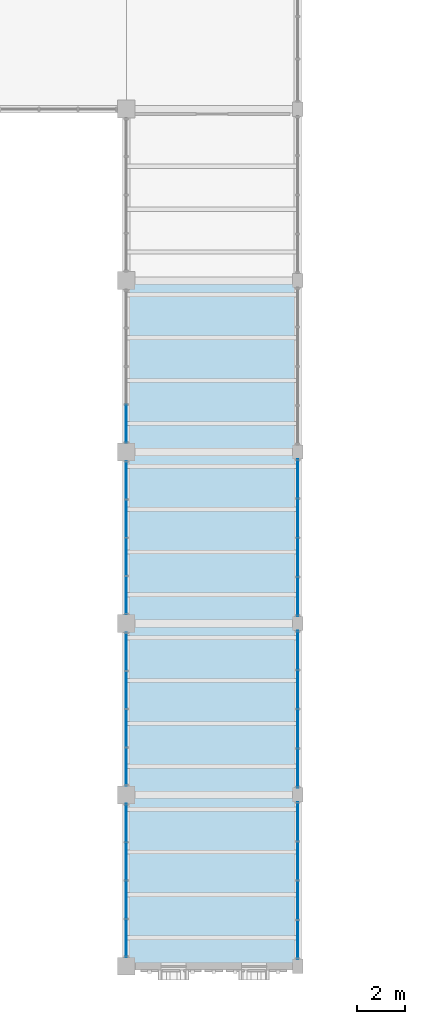
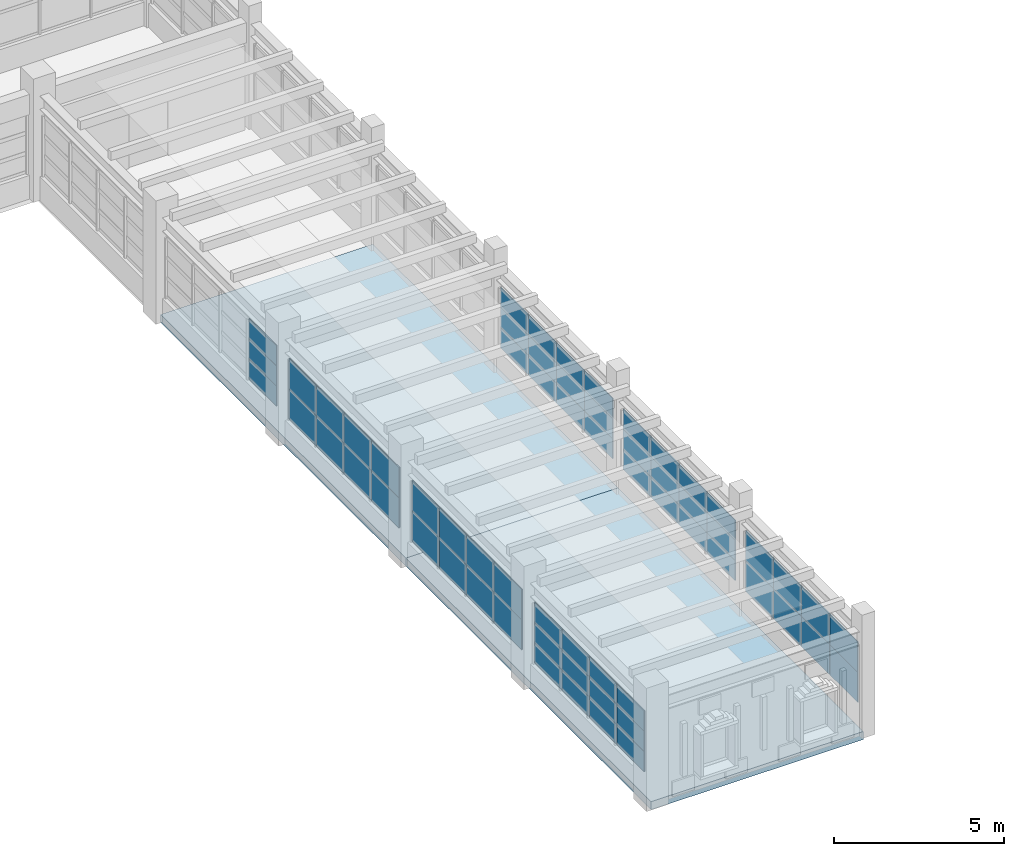
# One storey, part 32 of 69: 63 plates, 2 slabs, 7 elements without a shape of their own.
"""IFC4 building model written with IfcOpenShell, lengths in metres."""

from ifc_helpers import new_model, si_unit, direction, frame, origin, origin_2d, place, context, subcontext, project, spatial, polyline, rectangle, outline, extrude, material, layer, layer_set, type_object, element, aggregate, save


model = new_model("IFC4")

# Units and contexts
model_context = context("Model", 3, precision=1e-05, world=origin(), true_north=direction((0.0, 1.0)))
body_context = subcontext(model_context, "Body", "Model", "MODEL_VIEW")
ifc_project = project(units=[si_unit("LENGTHUNIT", "METRE"), si_unit("AREAUNIT", "SQUARE_METRE"), si_unit("VOLUMEUNIT", "CUBIC_METRE"), si_unit("PLANEANGLEUNIT", "RADIAN"), si_unit("MASSUNIT", "GRAM", prefix="KILO")], contexts=[model_context])

# Site, building, storey
site_placement = place(None, origin())
site = spatial("IfcSite", under=ifc_project, at=site_placement, CompositionType="ELEMENT")
building_placement = place(site_placement, origin())
building = spatial("IfcBuilding", under=site, at=building_placement, Name="Nzembalo Square Collegiate School", CompositionType="ELEMENT")
storey_placement = place(building_placement, frame((0.0, 0.0, 5.10009765625)))
storey = spatial("IfcBuildingStorey", under=building, at=storey_placement, Name="L01", CompositionType="ELEMENT", Elevation=5.10009765625)

# Curtain wall, plates
ifc_material_1 = material(Name="Aluminium 6060-T66", Category="aluminium")
curtain_wall_type_1 = type_object("IfcCurtainWallType", Name="CW-01", PredefinedType="USERDEFINED", material=ifc_material_1)
curtain_wall_1_placement = place(storey_placement, origin())
curtain_wall_1 = element("IfcCurtainWall", 1, at=curtain_wall_1_placement, inside=storey, type_object=curtain_wall_type_1, Name="Curtain wall CW-01 cw:L01:040", ObjectType="UNITISED", PredefinedType="USERDEFINED")
ifc_material_2 = material(Name="Laminated solar-control double glazing", Category="glass")
ifc_layer_1 = layer(ifc_material_2, 0.028076171875, Name="Laminated solar-control double glazing")
ifc_layer_set_1 = layer_set([ifc_layer_1], Name="Laminated solar-control double glazing")
plate_type_1 = type_object("IfcPlateType", Name="PN01", PredefinedType="CURTAIN_PANEL", material=ifc_layer_set_1)
plate_1_placement = place(storey_placement, frame((37.199951171875, 16.7265625, 0.85400390625), z_axis=(0.0, 0.0, 1.0), x_axis=(0.0, 1.0, 0.0)))
plate_1 = element("IfcPlate", 2, at=plate_1_placement, type_object=plate_type_1, Name="PN01 glazed panel 1-1", PredefinedType="CURTAIN_PANEL", context=body_context, shape_type="SweptSolid", body=[
    extrude(rectangle(XDim=1.64111328125, YDim=0.028076171875, at=origin_2d()), origin(), (0.0, 0.0, 1.0), 0.716552734375),
])
plate_2_placement = place(storey_placement, frame((37.199951171875, 18.37548828125, 0.85400390625), z_axis=(0.0, 0.0, 1.0), x_axis=(0.0, 1.0, 0.0)))
plate_2 = element("IfcPlate", 3, at=plate_2_placement, type_object=plate_type_1, Name="PN01 glazed panel 1-2", PredefinedType="CURTAIN_PANEL", context=body_context, shape_type="SweptSolid", body=[
    extrude(rectangle(XDim=1.64111328125, YDim=0.028076171875, at=origin_2d()), origin(), (0.0, 0.0, 1.0), 0.716552734375),
])
plate_3_placement = place(storey_placement, frame((37.199951171875, 20.0244140625, 0.85400390625), z_axis=(0.0, 0.0, 1.0), x_axis=(0.0, 1.0, 0.0)))
plate_3 = element("IfcPlate", 4, at=plate_3_placement, type_object=plate_type_1, Name="PN01 glazed panel 1-3", PredefinedType="CURTAIN_PANEL", context=body_context, shape_type="SweptSolid", body=[
    extrude(rectangle(XDim=1.64111328125, YDim=0.028076171875, at=origin_2d()), origin(), (0.0, 0.0, 1.0), 0.716552734375),
])
plate_4_placement = place(storey_placement, frame((37.199951171875, 21.673583984375, 0.85400390625), z_axis=(0.0, 0.0, 1.0), x_axis=(0.0, 1.0, 0.0)))
plate_4 = element("IfcPlate", 5, at=plate_4_placement, type_object=plate_type_1, Name="PN01 glazed panel 1-4", PredefinedType="CURTAIN_PANEL", context=body_context, shape_type="SweptSolid", body=[
    extrude(rectangle(XDim=1.64111328125, YDim=0.028076171875, at=origin_2d()), origin(), (0.0, 0.0, 1.0), 0.716552734375),
])
plate_5_placement = place(storey_placement, frame((37.199951171875, 16.7265625, 1.57861328125), z_axis=(0.0, 0.0, 1.0), x_axis=(0.0, 1.0, 0.0)))
plate_5 = element("IfcPlate", 6, at=plate_5_placement, type_object=plate_type_1, Name="PN01 glazed panel 2-1", PredefinedType="CURTAIN_PANEL", context=body_context, shape_type="SweptSolid", body=[
    extrude(rectangle(XDim=1.64111328125, YDim=0.028076171875, at=origin_2d()), origin(), (0.0, 0.0, 1.0), 0.716552734375),
])
plate_6_placement = place(storey_placement, frame((37.199951171875, 18.37548828125, 1.57861328125), z_axis=(0.0, 0.0, 1.0), x_axis=(0.0, 1.0, 0.0)))
plate_6 = element("IfcPlate", 7, at=plate_6_placement, type_object=plate_type_1, Name="PN01 glazed panel 2-2", PredefinedType="CURTAIN_PANEL", context=body_context, shape_type="SweptSolid", body=[
    extrude(rectangle(XDim=1.64111328125, YDim=0.028076171875, at=origin_2d()), origin(), (0.0, 0.0, 1.0), 0.716552734375),
])
plate_7_placement = place(storey_placement, frame((37.199951171875, 20.0244140625, 1.57861328125), z_axis=(0.0, 0.0, 1.0), x_axis=(0.0, 1.0, 0.0)))
plate_7 = element("IfcPlate", 8, at=plate_7_placement, type_object=plate_type_1, Name="PN01 glazed panel 2-3", PredefinedType="CURTAIN_PANEL", context=body_context, shape_type="SweptSolid", body=[
    extrude(rectangle(XDim=1.64111328125, YDim=0.028076171875, at=origin_2d()), origin(), (0.0, 0.0, 1.0), 0.716552734375),
])
plate_8_placement = place(storey_placement, frame((37.199951171875, 21.673583984375, 1.57861328125), z_axis=(0.0, 0.0, 1.0), x_axis=(0.0, 1.0, 0.0)))
plate_8 = element("IfcPlate", 9, at=plate_8_placement, type_object=plate_type_1, Name="PN01 glazed panel 2-4", PredefinedType="CURTAIN_PANEL", context=body_context, shape_type="SweptSolid", body=[
    extrude(rectangle(XDim=1.64111328125, YDim=0.028076171875, at=origin_2d()), origin(), (0.0, 0.0, 1.0), 0.716552734375),
])
plate_9_placement = place(storey_placement, frame((37.199951171875, 16.7265625, 2.30322265625), z_axis=(0.0, 0.0, 1.0), x_axis=(0.0, 1.0, 0.0)))
plate_9 = element("IfcPlate", 10, at=plate_9_placement, type_object=plate_type_1, Name="PN01 glazed panel 3-1", PredefinedType="CURTAIN_PANEL", context=body_context, shape_type="SweptSolid", body=[
    extrude(rectangle(XDim=1.64111328125, YDim=0.028076171875, at=origin_2d()), origin(), (0.0, 0.0, 1.0), 0.716552734375),
])
plate_10_placement = place(storey_placement, frame((37.199951171875, 18.37548828125, 2.30322265625), z_axis=(0.0, 0.0, 1.0), x_axis=(0.0, 1.0, 0.0)))
plate_10 = element("IfcPlate", 11, at=plate_10_placement, type_object=plate_type_1, Name="PN01 glazed panel 3-2", PredefinedType="CURTAIN_PANEL", context=body_context, shape_type="SweptSolid", body=[
    extrude(rectangle(XDim=1.64111328125, YDim=0.028076171875, at=origin_2d()), origin(), (0.0, 0.0, 1.0), 0.716552734375),
])
plate_11_placement = place(storey_placement, frame((37.199951171875, 20.0244140625, 2.30322265625), z_axis=(0.0, 0.0, 1.0), x_axis=(0.0, 1.0, 0.0)))
plate_11 = element("IfcPlate", 12, at=plate_11_placement, type_object=plate_type_1, Name="PN01 glazed panel 3-3", PredefinedType="CURTAIN_PANEL", context=body_context, shape_type="SweptSolid", body=[
    extrude(rectangle(XDim=1.64111328125, YDim=0.028076171875, at=origin_2d()), origin(), (0.0, 0.0, 1.0), 0.716552734375),
])
plate_12_placement = place(storey_placement, frame((37.199951171875, 21.673583984375, 2.30322265625), z_axis=(0.0, 0.0, 1.0), x_axis=(0.0, 1.0, 0.0)))
plate_12 = element("IfcPlate", 13, at=plate_12_placement, type_object=plate_type_1, Name="PN01 glazed panel 3-4", PredefinedType="CURTAIN_PANEL", context=body_context, shape_type="SweptSolid", body=[
    extrude(rectangle(XDim=1.64111328125, YDim=0.028076171875, at=origin_2d()), origin(), (0.0, 0.0, 1.0), 0.716552734375),
])
aggregate(curtain_wall_1, [plate_1, plate_2, plate_3, plate_4, plate_5, plate_6, plate_7, plate_8, plate_9, plate_10, plate_11, plate_12])

ifc_material_3 = material(Name="Aluminium 6060-T66", Category="aluminium")
curtain_wall_type_2 = type_object("IfcCurtainWallType", Name="CW-02", PredefinedType="USERDEFINED", material=ifc_material_3)
curtain_wall_2_placement = place(storey_placement, origin())
curtain_wall_2 = element("IfcCurtainWall", 14, at=curtain_wall_2_placement, inside=storey, type_object=curtain_wall_type_2, Name="Curtain wall CW-02 cw:L01:041", ObjectType="UNITISED", PredefinedType="USERDEFINED")
plate_13_placement = place(storey_placement, frame((37.199951171875, 23.926513671875, 0.85400390625), z_axis=(0.0, 0.0, 1.0), x_axis=(0.0, 1.0, 0.0)))
plate_13 = element("IfcPlate", 15, at=plate_13_placement, type_object=plate_type_1, Name="PN01 glazed panel 1-1", PredefinedType="CURTAIN_PANEL", context=body_context, shape_type="SweptSolid", body=[
    extrude(rectangle(XDim=1.64111328125, YDim=0.028076171875, at=origin_2d()), origin(), (0.0, 0.0, 1.0), 0.716552734375),
])
plate_14_placement = place(storey_placement, frame((37.199951171875, 25.575439453125, 0.85400390625), z_axis=(0.0, 0.0, 1.0), x_axis=(0.0, 1.0, 0.0)))
plate_14 = element("IfcPlate", 16, at=plate_14_placement, type_object=plate_type_1, Name="PN01 glazed panel 1-2", PredefinedType="CURTAIN_PANEL", context=body_context, shape_type="SweptSolid", body=[
    extrude(rectangle(XDim=1.64111328125, YDim=0.028076171875, at=origin_2d()), origin(), (0.0, 0.0, 1.0), 0.716552734375),
])
plate_15_placement = place(storey_placement, frame((37.199951171875, 27.224609375, 0.85400390625), z_axis=(0.0, 0.0, 1.0), x_axis=(0.0, 1.0, 0.0)))
plate_15 = element("IfcPlate", 17, at=plate_15_placement, type_object=plate_type_1, Name="PN01 glazed panel 1-3", PredefinedType="CURTAIN_PANEL", context=body_context, shape_type="SweptSolid", body=[
    extrude(rectangle(XDim=1.64111328125, YDim=0.028076171875, at=origin_2d()), origin(), (0.0, 0.0, 1.0), 0.716552734375),
])
plate_16_placement = place(storey_placement, frame((37.199951171875, 28.87353515625, 0.85400390625), z_axis=(0.0, 0.0, 1.0), x_axis=(0.0, 1.0, 0.0)))
plate_16 = element("IfcPlate", 18, at=plate_16_placement, type_object=plate_type_1, Name="PN01 glazed panel 1-4", PredefinedType="CURTAIN_PANEL", context=body_context, shape_type="SweptSolid", body=[
    extrude(rectangle(XDim=1.64111328125, YDim=0.028076171875, at=origin_2d()), origin(), (0.0, 0.0, 1.0), 0.716552734375),
])
plate_17_placement = place(storey_placement, frame((37.199951171875, 23.926513671875, 1.57861328125), z_axis=(0.0, 0.0, 1.0), x_axis=(0.0, 1.0, 0.0)))
plate_17 = element("IfcPlate", 19, at=plate_17_placement, type_object=plate_type_1, Name="PN01 glazed panel 2-1", PredefinedType="CURTAIN_PANEL", context=body_context, shape_type="SweptSolid", body=[
    extrude(rectangle(XDim=1.64111328125, YDim=0.028076171875, at=origin_2d()), origin(), (0.0, 0.0, 1.0), 0.716552734375),
])
plate_18_placement = place(storey_placement, frame((37.199951171875, 25.575439453125, 1.57861328125), z_axis=(0.0, 0.0, 1.0), x_axis=(0.0, 1.0, 0.0)))
plate_18 = element("IfcPlate", 20, at=plate_18_placement, type_object=plate_type_1, Name="PN01 glazed panel 2-2", PredefinedType="CURTAIN_PANEL", context=body_context, shape_type="SweptSolid", body=[
    extrude(rectangle(XDim=1.64111328125, YDim=0.028076171875, at=origin_2d()), origin(), (0.0, 0.0, 1.0), 0.716552734375),
])
plate_19_placement = place(storey_placement, frame((37.199951171875, 27.224609375, 1.57861328125), z_axis=(0.0, 0.0, 1.0), x_axis=(0.0, 1.0, 0.0)))
plate_19 = element("IfcPlate", 21, at=plate_19_placement, type_object=plate_type_1, Name="PN01 glazed panel 2-3", PredefinedType="CURTAIN_PANEL", context=body_context, shape_type="SweptSolid", body=[
    extrude(rectangle(XDim=1.64111328125, YDim=0.028076171875, at=origin_2d()), origin(), (0.0, 0.0, 1.0), 0.716552734375),
])
plate_20_placement = place(storey_placement, frame((37.199951171875, 28.87353515625, 1.57861328125), z_axis=(0.0, 0.0, 1.0), x_axis=(0.0, 1.0, 0.0)))
plate_20 = element("IfcPlate", 22, at=plate_20_placement, type_object=plate_type_1, Name="PN01 glazed panel 2-4", PredefinedType="CURTAIN_PANEL", context=body_context, shape_type="SweptSolid", body=[
    extrude(rectangle(XDim=1.64111328125, YDim=0.028076171875, at=origin_2d()), origin(), (0.0, 0.0, 1.0), 0.716552734375),
])
plate_21_placement = place(storey_placement, frame((37.199951171875, 23.926513671875, 2.30322265625), z_axis=(0.0, 0.0, 1.0), x_axis=(0.0, 1.0, 0.0)))
plate_21 = element("IfcPlate", 23, at=plate_21_placement, type_object=plate_type_1, Name="PN01 glazed panel 3-1", PredefinedType="CURTAIN_PANEL", context=body_context, shape_type="SweptSolid", body=[
    extrude(rectangle(XDim=1.64111328125, YDim=0.028076171875, at=origin_2d()), origin(), (0.0, 0.0, 1.0), 0.716552734375),
])
plate_22_placement = place(storey_placement, frame((37.199951171875, 25.575439453125, 2.30322265625), z_axis=(0.0, 0.0, 1.0), x_axis=(0.0, 1.0, 0.0)))
plate_22 = element("IfcPlate", 24, at=plate_22_placement, type_object=plate_type_1, Name="PN01 glazed panel 3-2", PredefinedType="CURTAIN_PANEL", context=body_context, shape_type="SweptSolid", body=[
    extrude(rectangle(XDim=1.64111328125, YDim=0.028076171875, at=origin_2d()), origin(), (0.0, 0.0, 1.0), 0.716552734375),
])
plate_23_placement = place(storey_placement, frame((37.199951171875, 27.224609375, 2.30322265625), z_axis=(0.0, 0.0, 1.0), x_axis=(0.0, 1.0, 0.0)))
plate_23 = element("IfcPlate", 25, at=plate_23_placement, type_object=plate_type_1, Name="PN01 glazed panel 3-3", PredefinedType="CURTAIN_PANEL", context=body_context, shape_type="SweptSolid", body=[
    extrude(rectangle(XDim=1.64111328125, YDim=0.028076171875, at=origin_2d()), origin(), (0.0, 0.0, 1.0), 0.716552734375),
])
plate_24_placement = place(storey_placement, frame((37.199951171875, 28.87353515625, 2.30322265625), z_axis=(0.0, 0.0, 1.0), x_axis=(0.0, 1.0, 0.0)))
plate_24 = element("IfcPlate", 26, at=plate_24_placement, type_object=plate_type_1, Name="PN01 glazed panel 3-4", PredefinedType="CURTAIN_PANEL", context=body_context, shape_type="SweptSolid", body=[
    extrude(rectangle(XDim=1.64111328125, YDim=0.028076171875, at=origin_2d()), origin(), (0.0, 0.0, 1.0), 0.716552734375),
])
aggregate(curtain_wall_2, [plate_13, plate_14, plate_15, plate_16, plate_17, plate_18, plate_19, plate_20, plate_21, plate_22, plate_23, plate_24])

curtain_wall_3_placement = place(storey_placement, origin())
curtain_wall_3 = element("IfcCurtainWall", 27, at=curtain_wall_3_placement, inside=storey, type_object=curtain_wall_type_1, Name="Curtain wall CW-01 cw:L01:048", ObjectType="UNITISED", PredefinedType="USERDEFINED")
plate_25_placement = place(storey_placement, frame((30.0, 31.182861328125, 0.85400390625), z_axis=(0.0, 0.0, 1.0), x_axis=(0.0, 1.0, 0.0)))
plate_25 = element("IfcPlate", 28, at=plate_25_placement, type_object=plate_type_1, Name="PN01 glazed panel 1-1", PredefinedType="CURTAIN_PANEL", context=body_context, shape_type="SweptSolid", body=[
    extrude(rectangle(XDim=1.603515625, YDim=0.028076171875, at=origin_2d()), origin(), (0.0, 0.0, 1.0), 0.716552734375),
])
plate_26_placement = place(storey_placement, frame((30.0, 31.182861328125, 1.57861328125), z_axis=(0.0, 0.0, 1.0), x_axis=(0.0, 1.0, 0.0)))
plate_26 = element("IfcPlate", 29, at=plate_26_placement, type_object=plate_type_1, Name="PN01 glazed panel 2-1", PredefinedType="CURTAIN_PANEL", context=body_context, shape_type="SweptSolid", body=[
    extrude(rectangle(XDim=1.603515625, YDim=0.028076171875, at=origin_2d()), origin(), (0.0, 0.0, 1.0), 0.716552734375),
])
plate_27_placement = place(storey_placement, frame((30.0, 31.182861328125, 2.30322265625), z_axis=(0.0, 0.0, 1.0), x_axis=(0.0, 1.0, 0.0)))
plate_27 = element("IfcPlate", 30, at=plate_27_placement, type_object=plate_type_1, Name="PN01 glazed panel 3-1", PredefinedType="CURTAIN_PANEL", context=body_context, shape_type="SweptSolid", body=[
    extrude(rectangle(XDim=1.603515625, YDim=0.028076171875, at=origin_2d()), origin(), (0.0, 0.0, 1.0), 0.716552734375),
])
aggregate(curtain_wall_3, [plate_25, plate_26, plate_27])

ifc_material_4 = material(Name="Aluminium 6060-T66", Category="aluminium")
curtain_wall_type_3 = type_object("IfcCurtainWallType", Name="CW-08", PredefinedType="USERDEFINED", material=ifc_material_4)
curtain_wall_4_placement = place(storey_placement, origin())
curtain_wall_4 = element("IfcCurtainWall", 31, at=curtain_wall_4_placement, inside=storey, type_object=curtain_wall_type_3, Name="Curtain wall CW-08 cw:L01:039", ObjectType="LANCET", PredefinedType="USERDEFINED")
ifc_material_5 = material(Name="Acoustic laminated solar-control glazing", Category="glass")
ifc_layer_2 = layer(ifc_material_5, 0.031982421875, Name="Acoustic laminated solar-control glazing")
ifc_layer_set_2 = layer_set([ifc_layer_2], Name="Acoustic laminated solar-control glazing")
plate_type_2 = type_object("IfcPlateType", Name="PN02", PredefinedType="CURTAIN_PANEL", material=ifc_layer_set_2)
plate_28_placement = place(storey_placement, frame((37.199951171875, 9.526611328125, 0.853759765625), z_axis=(0.0, 0.0, 1.0), x_axis=(0.0, 1.0, 0.0)))
plate_28 = element("IfcPlate", 32, at=plate_28_placement, type_object=plate_type_2, Name="PN02 glazed panel 1-1", PredefinedType="CURTAIN_PANEL", context=body_context, shape_type="SweptSolid", body=[
    extrude(rectangle(XDim=1.64111328125, YDim=0.031982421875, at=origin_2d()), origin(), (0.0, 0.0, 1.0), 1.0791015625),
])
plate_29_placement = place(storey_placement, frame((37.199951171875, 11.175537109375, 0.853759765625), z_axis=(0.0, 0.0, 1.0), x_axis=(0.0, 1.0, 0.0)))
plate_29 = element("IfcPlate", 33, at=plate_29_placement, type_object=plate_type_2, Name="PN02 glazed panel 1-2", PredefinedType="CURTAIN_PANEL", context=body_context, shape_type="SweptSolid", body=[
    extrude(rectangle(XDim=1.64111328125, YDim=0.031982421875, at=origin_2d()), origin(), (0.0, 0.0, 1.0), 1.0791015625),
])
plate_30_placement = place(storey_placement, frame((37.199951171875, 12.824462890625, 0.853759765625), z_axis=(0.0, 0.0, 1.0), x_axis=(0.0, 1.0, 0.0)))
plate_30 = element("IfcPlate", 34, at=plate_30_placement, type_object=plate_type_2, Name="PN02 glazed panel 1-3", PredefinedType="CURTAIN_PANEL", context=body_context, shape_type="SweptSolid", body=[
    extrude(rectangle(XDim=1.64111328125, YDim=0.031982421875, at=origin_2d()), origin(), (0.0, 0.0, 1.0), 1.0791015625),
])
plate_31_placement = place(storey_placement, frame((37.199951171875, 14.473388671875, 0.853759765625), z_axis=(0.0, 0.0, 1.0), x_axis=(0.0, 1.0, 0.0)))
plate_31 = element("IfcPlate", 35, at=plate_31_placement, type_object=plate_type_2, Name="PN02 glazed panel 1-4", PredefinedType="CURTAIN_PANEL", context=body_context, shape_type="SweptSolid", body=[
    extrude(rectangle(XDim=1.64111328125, YDim=0.031982421875, at=origin_2d()), origin(), (0.0, 0.0, 1.0), 1.0791015625),
])
plate_32_placement = place(storey_placement, frame((37.199951171875, 9.526611328125, 1.94091796875), z_axis=(0.0, 0.0, 1.0), x_axis=(0.0, 1.0, 0.0)))
plate_32 = element("IfcPlate", 36, at=plate_32_placement, type_object=plate_type_2, Name="PN02 glazed panel 2-1", PredefinedType="CURTAIN_PANEL", context=body_context, shape_type="SweptSolid", body=[
    extrude(rectangle(XDim=1.64111328125, YDim=0.031982421875, at=origin_2d()), origin(), (0.0, 0.0, 1.0), 1.0791015625),
])
plate_33_placement = place(storey_placement, frame((37.199951171875, 11.175537109375, 1.94091796875), z_axis=(0.0, 0.0, 1.0), x_axis=(0.0, 1.0, 0.0)))
plate_33 = element("IfcPlate", 37, at=plate_33_placement, type_object=plate_type_2, Name="PN02 glazed panel 2-2", PredefinedType="CURTAIN_PANEL", context=body_context, shape_type="SweptSolid", body=[
    extrude(rectangle(XDim=1.64111328125, YDim=0.031982421875, at=origin_2d()), origin(), (0.0, 0.0, 1.0), 1.0791015625),
])
plate_34_placement = place(storey_placement, frame((37.199951171875, 12.824462890625, 1.94091796875), z_axis=(0.0, 0.0, 1.0), x_axis=(0.0, 1.0, 0.0)))
plate_34 = element("IfcPlate", 38, at=plate_34_placement, type_object=plate_type_2, Name="PN02 glazed panel 2-3", PredefinedType="CURTAIN_PANEL", context=body_context, shape_type="SweptSolid", body=[
    extrude(rectangle(XDim=1.64111328125, YDim=0.031982421875, at=origin_2d()), origin(), (0.0, 0.0, 1.0), 1.0791015625),
])
plate_35_placement = place(storey_placement, frame((37.199951171875, 14.473388671875, 1.94091796875), z_axis=(0.0, 0.0, 1.0), x_axis=(0.0, 1.0, 0.0)))
plate_35 = element("IfcPlate", 39, at=plate_35_placement, type_object=plate_type_2, Name="PN02 glazed panel 2-4", PredefinedType="CURTAIN_PANEL", context=body_context, shape_type="SweptSolid", body=[
    extrude(rectangle(XDim=1.64111328125, YDim=0.031982421875, at=origin_2d()), origin(), (0.0, 0.0, 1.0), 1.0791015625),
])
aggregate(curtain_wall_4, [plate_28, plate_29, plate_30, plate_31, plate_32, plate_33, plate_34, plate_35])

ifc_material_6 = material(Name="Aluminium 6060-T66", Category="aluminium")
curtain_wall_type_4 = type_object("IfcCurtainWallType", Name="CW-06", PredefinedType="USERDEFINED", material=ifc_material_6)
curtain_wall_5_placement = place(storey_placement, origin())
curtain_wall_5 = element("IfcCurtainWall", 40, at=curtain_wall_5_placement, inside=storey, type_object=curtain_wall_type_4, Name="Curtain wall CW-06 cw:L01:045", ObjectType="LANCET", PredefinedType="USERDEFINED")
plate_36_placement = place(storey_placement, frame((30.0, 9.582763671875, 0.85400390625), z_axis=(0.0, 0.0, 1.0), x_axis=(0.0, 1.0, 0.0)))
plate_36 = element("IfcPlate", 41, at=plate_36_placement, type_object=plate_type_2, Name="PN02 glazed panel 1-1", PredefinedType="CURTAIN_PANEL", context=body_context, shape_type="SweptSolid", body=[
    extrude(rectangle(XDim=1.603515625, YDim=0.031982421875, at=origin_2d()), origin(), (0.0, 0.0, 1.0), 0.716552734375),
])
plate_37_placement = place(storey_placement, frame((30.0, 11.1943359375, 0.85400390625), z_axis=(0.0, 0.0, 1.0), x_axis=(0.0, 1.0, 0.0)))
plate_37 = element("IfcPlate", 42, at=plate_37_placement, type_object=plate_type_2, Name="PN02 glazed panel 1-2", PredefinedType="CURTAIN_PANEL", context=body_context, shape_type="SweptSolid", body=[
    extrude(rectangle(XDim=1.603515625, YDim=0.031982421875, at=origin_2d()), origin(), (0.0, 0.0, 1.0), 0.716552734375),
])
plate_38_placement = place(storey_placement, frame((30.0, 12.8056640625, 0.85400390625), z_axis=(0.0, 0.0, 1.0), x_axis=(0.0, 1.0, 0.0)))
plate_38 = element("IfcPlate", 43, at=plate_38_placement, type_object=plate_type_2, Name="PN02 glazed panel 1-3", PredefinedType="CURTAIN_PANEL", context=body_context, shape_type="SweptSolid", body=[
    extrude(rectangle(XDim=1.603515625, YDim=0.031982421875, at=origin_2d()), origin(), (0.0, 0.0, 1.0), 0.716552734375),
])
plate_39_placement = place(storey_placement, frame((30.0, 14.417236328125, 0.85400390625), z_axis=(0.0, 0.0, 1.0), x_axis=(0.0, 1.0, 0.0)))
plate_39 = element("IfcPlate", 44, at=plate_39_placement, type_object=plate_type_2, Name="PN02 glazed panel 1-4", PredefinedType="CURTAIN_PANEL", context=body_context, shape_type="SweptSolid", body=[
    extrude(rectangle(XDim=1.603515625, YDim=0.031982421875, at=origin_2d()), origin(), (0.0, 0.0, 1.0), 0.716552734375),
])
plate_40_placement = place(storey_placement, frame((30.0, 9.582763671875, 1.57861328125), z_axis=(0.0, 0.0, 1.0), x_axis=(0.0, 1.0, 0.0)))
plate_40 = element("IfcPlate", 45, at=plate_40_placement, type_object=plate_type_2, Name="PN02 glazed panel 2-1", PredefinedType="CURTAIN_PANEL", context=body_context, shape_type="SweptSolid", body=[
    extrude(rectangle(XDim=1.603515625, YDim=0.031982421875, at=origin_2d()), origin(), (0.0, 0.0, 1.0), 0.716552734375),
])
plate_41_placement = place(storey_placement, frame((30.0, 11.1943359375, 1.57861328125), z_axis=(0.0, 0.0, 1.0), x_axis=(0.0, 1.0, 0.0)))
plate_41 = element("IfcPlate", 46, at=plate_41_placement, type_object=plate_type_2, Name="PN02 glazed panel 2-2", PredefinedType="CURTAIN_PANEL", context=body_context, shape_type="SweptSolid", body=[
    extrude(rectangle(XDim=1.603515625, YDim=0.031982421875, at=origin_2d()), origin(), (0.0, 0.0, 1.0), 0.716552734375),
])
plate_42_placement = place(storey_placement, frame((30.0, 12.8056640625, 1.57861328125), z_axis=(0.0, 0.0, 1.0), x_axis=(0.0, 1.0, 0.0)))
plate_42 = element("IfcPlate", 47, at=plate_42_placement, type_object=plate_type_2, Name="PN02 glazed panel 2-3", PredefinedType="CURTAIN_PANEL", context=body_context, shape_type="SweptSolid", body=[
    extrude(rectangle(XDim=1.603515625, YDim=0.031982421875, at=origin_2d()), origin(), (0.0, 0.0, 1.0), 0.716552734375),
])
plate_43_placement = place(storey_placement, frame((30.0, 14.417236328125, 1.57861328125), z_axis=(0.0, 0.0, 1.0), x_axis=(0.0, 1.0, 0.0)))
plate_43 = element("IfcPlate", 48, at=plate_43_placement, type_object=plate_type_2, Name="PN02 glazed panel 2-4", PredefinedType="CURTAIN_PANEL", context=body_context, shape_type="SweptSolid", body=[
    extrude(rectangle(XDim=1.603515625, YDim=0.031982421875, at=origin_2d()), origin(), (0.0, 0.0, 1.0), 0.716552734375),
])
plate_44_placement = place(storey_placement, frame((30.0, 9.582763671875, 2.30322265625), z_axis=(0.0, 0.0, 1.0), x_axis=(0.0, 1.0, 0.0)))
plate_44 = element("IfcPlate", 49, at=plate_44_placement, type_object=plate_type_2, Name="PN02 glazed panel 3-1", PredefinedType="CURTAIN_PANEL", context=body_context, shape_type="SweptSolid", body=[
    extrude(rectangle(XDim=1.603515625, YDim=0.031982421875, at=origin_2d()), origin(), (0.0, 0.0, 1.0), 0.716552734375),
])
plate_45_placement = place(storey_placement, frame((30.0, 11.1943359375, 2.30322265625), z_axis=(0.0, 0.0, 1.0), x_axis=(0.0, 1.0, 0.0)))
plate_45 = element("IfcPlate", 50, at=plate_45_placement, type_object=plate_type_2, Name="PN02 glazed panel 3-2", PredefinedType="CURTAIN_PANEL", context=body_context, shape_type="SweptSolid", body=[
    extrude(rectangle(XDim=1.603515625, YDim=0.031982421875, at=origin_2d()), origin(), (0.0, 0.0, 1.0), 0.716552734375),
])
plate_46_placement = place(storey_placement, frame((30.0, 12.8056640625, 2.30322265625), z_axis=(0.0, 0.0, 1.0), x_axis=(0.0, 1.0, 0.0)))
plate_46 = element("IfcPlate", 51, at=plate_46_placement, type_object=plate_type_2, Name="PN02 glazed panel 3-3", PredefinedType="CURTAIN_PANEL", context=body_context, shape_type="SweptSolid", body=[
    extrude(rectangle(XDim=1.603515625, YDim=0.031982421875, at=origin_2d()), origin(), (0.0, 0.0, 1.0), 0.716552734375),
])
plate_47_placement = place(storey_placement, frame((30.0, 14.417236328125, 2.30322265625), z_axis=(0.0, 0.0, 1.0), x_axis=(0.0, 1.0, 0.0)))
plate_47 = element("IfcPlate", 52, at=plate_47_placement, type_object=plate_type_2, Name="PN02 glazed panel 3-4", PredefinedType="CURTAIN_PANEL", context=body_context, shape_type="SweptSolid", body=[
    extrude(rectangle(XDim=1.603515625, YDim=0.031982421875, at=origin_2d()), origin(), (0.0, 0.0, 1.0), 0.716552734375),
])
aggregate(curtain_wall_5, [plate_36, plate_37, plate_38, plate_39, plate_40, plate_41, plate_42, plate_43, plate_44, plate_45, plate_46, plate_47])

ifc_material_7 = material(Name="Aluminium 6060-T66", Category="aluminium")
curtain_wall_type_5 = type_object("IfcCurtainWallType", Name="CW-07", PredefinedType="USERDEFINED", material=ifc_material_7)
curtain_wall_6_placement = place(storey_placement, origin())
curtain_wall_6 = element("IfcCurtainWall", 53, at=curtain_wall_6_placement, inside=storey, type_object=curtain_wall_type_5, Name="Curtain wall CW-07 cw:L01:046", ObjectType="LANCET", PredefinedType="USERDEFINED")
plate_48_placement = place(storey_placement, frame((30.0, 16.78271484375, 0.853759765625), z_axis=(0.0, 0.0, 1.0), x_axis=(0.0, 1.0, 0.0)))
plate_48 = element("IfcPlate", 54, at=plate_48_placement, type_object=plate_type_2, Name="PN02 glazed panel 1-1", PredefinedType="CURTAIN_PANEL", context=body_context, shape_type="SweptSolid", body=[
    extrude(rectangle(XDim=1.603515625, YDim=0.031982421875, at=origin_2d()), origin(), (0.0, 0.0, 1.0), 1.0791015625),
])
plate_49_placement = place(storey_placement, frame((30.0, 18.394287109375, 0.853759765625), z_axis=(0.0, 0.0, 1.0), x_axis=(0.0, 1.0, 0.0)))
plate_49 = element("IfcPlate", 55, at=plate_49_placement, type_object=plate_type_2, Name="PN02 glazed panel 1-2", PredefinedType="CURTAIN_PANEL", context=body_context, shape_type="SweptSolid", body=[
    extrude(rectangle(XDim=1.603515625, YDim=0.031982421875, at=origin_2d()), origin(), (0.0, 0.0, 1.0), 1.0791015625),
])
plate_50_placement = place(storey_placement, frame((30.0, 20.005859375, 0.853759765625), z_axis=(0.0, 0.0, 1.0), x_axis=(0.0, 1.0, 0.0)))
plate_50 = element("IfcPlate", 56, at=plate_50_placement, type_object=plate_type_2, Name="PN02 glazed panel 1-3", PredefinedType="CURTAIN_PANEL", context=body_context, shape_type="SweptSolid", body=[
    extrude(rectangle(XDim=1.603515625, YDim=0.031982421875, at=origin_2d()), origin(), (0.0, 0.0, 1.0), 1.0791015625),
])
plate_51_placement = place(storey_placement, frame((30.0, 21.6171875, 0.853759765625), z_axis=(0.0, 0.0, 1.0), x_axis=(0.0, 1.0, 0.0)))
plate_51 = element("IfcPlate", 57, at=plate_51_placement, type_object=plate_type_2, Name="PN02 glazed panel 1-4", PredefinedType="CURTAIN_PANEL", context=body_context, shape_type="SweptSolid", body=[
    extrude(rectangle(XDim=1.603515625, YDim=0.031982421875, at=origin_2d()), origin(), (0.0, 0.0, 1.0), 1.0791015625),
])
plate_52_placement = place(storey_placement, frame((30.0, 16.78271484375, 1.94091796875), z_axis=(0.0, 0.0, 1.0), x_axis=(0.0, 1.0, 0.0)))
plate_52 = element("IfcPlate", 58, at=plate_52_placement, type_object=plate_type_2, Name="PN02 glazed panel 2-1", PredefinedType="CURTAIN_PANEL", context=body_context, shape_type="SweptSolid", body=[
    extrude(rectangle(XDim=1.603515625, YDim=0.031982421875, at=origin_2d()), origin(), (0.0, 0.0, 1.0), 1.0791015625),
])
plate_53_placement = place(storey_placement, frame((30.0, 18.394287109375, 1.94091796875), z_axis=(0.0, 0.0, 1.0), x_axis=(0.0, 1.0, 0.0)))
plate_53 = element("IfcPlate", 59, at=plate_53_placement, type_object=plate_type_2, Name="PN02 glazed panel 2-2", PredefinedType="CURTAIN_PANEL", context=body_context, shape_type="SweptSolid", body=[
    extrude(rectangle(XDim=1.603515625, YDim=0.031982421875, at=origin_2d()), origin(), (0.0, 0.0, 1.0), 1.0791015625),
])
plate_54_placement = place(storey_placement, frame((30.0, 20.005859375, 1.94091796875), z_axis=(0.0, 0.0, 1.0), x_axis=(0.0, 1.0, 0.0)))
plate_54 = element("IfcPlate", 60, at=plate_54_placement, type_object=plate_type_2, Name="PN02 glazed panel 2-3", PredefinedType="CURTAIN_PANEL", context=body_context, shape_type="SweptSolid", body=[
    extrude(rectangle(XDim=1.603515625, YDim=0.031982421875, at=origin_2d()), origin(), (0.0, 0.0, 1.0), 1.0791015625),
])
plate_55_placement = place(storey_placement, frame((30.0, 21.6171875, 1.94091796875), z_axis=(0.0, 0.0, 1.0), x_axis=(0.0, 1.0, 0.0)))
plate_55 = element("IfcPlate", 61, at=plate_55_placement, type_object=plate_type_2, Name="PN02 glazed panel 2-4", PredefinedType="CURTAIN_PANEL", context=body_context, shape_type="SweptSolid", body=[
    extrude(rectangle(XDim=1.603515625, YDim=0.031982421875, at=origin_2d()), origin(), (0.0, 0.0, 1.0), 1.0791015625),
])
aggregate(curtain_wall_6, [plate_48, plate_49, plate_50, plate_51, plate_52, plate_53, plate_54, plate_55])

curtain_wall_7_placement = place(storey_placement, origin())
curtain_wall_7 = element("IfcCurtainWall", 62, at=curtain_wall_7_placement, inside=storey, type_object=curtain_wall_type_3, Name="Curtain wall CW-08 cw:L01:047", ObjectType="LANCET", PredefinedType="USERDEFINED")
plate_56_placement = place(storey_placement, frame((30.0, 23.982666015625, 0.853759765625), z_axis=(0.0, 0.0, 1.0), x_axis=(0.0, 1.0, 0.0)))
plate_56 = element("IfcPlate", 63, at=plate_56_placement, type_object=plate_type_2, Name="PN02 glazed panel 1-1", PredefinedType="CURTAIN_PANEL", context=body_context, shape_type="SweptSolid", body=[
    extrude(rectangle(XDim=1.603515625, YDim=0.031982421875, at=origin_2d()), origin(), (0.0, 0.0, 1.0), 1.0791015625),
])
plate_57_placement = place(storey_placement, frame((30.0, 25.59423828125, 0.853759765625), z_axis=(0.0, 0.0, 1.0), x_axis=(0.0, 1.0, 0.0)))
plate_57 = element("IfcPlate", 64, at=plate_57_placement, type_object=plate_type_2, Name="PN02 glazed panel 1-2", PredefinedType="CURTAIN_PANEL", context=body_context, shape_type="SweptSolid", body=[
    extrude(rectangle(XDim=1.603515625, YDim=0.031982421875, at=origin_2d()), origin(), (0.0, 0.0, 1.0), 1.0791015625),
])
plate_58_placement = place(storey_placement, frame((30.0, 27.205810546875, 0.853759765625), z_axis=(0.0, 0.0, 1.0), x_axis=(0.0, 1.0, 0.0)))
plate_58 = element("IfcPlate", 65, at=plate_58_placement, type_object=plate_type_2, Name="PN02 glazed panel 1-3", PredefinedType="CURTAIN_PANEL", context=body_context, shape_type="SweptSolid", body=[
    extrude(rectangle(XDim=1.603515625, YDim=0.031982421875, at=origin_2d()), origin(), (0.0, 0.0, 1.0), 1.0791015625),
])
plate_59_placement = place(storey_placement, frame((30.0, 28.817138671875, 0.853759765625), z_axis=(0.0, 0.0, 1.0), x_axis=(0.0, 1.0, 0.0)))
plate_59 = element("IfcPlate", 66, at=plate_59_placement, type_object=plate_type_2, Name="PN02 glazed panel 1-4", PredefinedType="CURTAIN_PANEL", context=body_context, shape_type="SweptSolid", body=[
    extrude(rectangle(XDim=1.603515625, YDim=0.031982421875, at=origin_2d()), origin(), (0.0, 0.0, 1.0), 1.0791015625),
])
plate_60_placement = place(storey_placement, frame((30.0, 23.982666015625, 1.94091796875), z_axis=(0.0, 0.0, 1.0), x_axis=(0.0, 1.0, 0.0)))
plate_60 = element("IfcPlate", 67, at=plate_60_placement, type_object=plate_type_2, Name="PN02 glazed panel 2-1", PredefinedType="CURTAIN_PANEL", context=body_context, shape_type="SweptSolid", body=[
    extrude(rectangle(XDim=1.603515625, YDim=0.031982421875, at=origin_2d()), origin(), (0.0, 0.0, 1.0), 1.0791015625),
])
plate_61_placement = place(storey_placement, frame((30.0, 25.59423828125, 1.94091796875), z_axis=(0.0, 0.0, 1.0), x_axis=(0.0, 1.0, 0.0)))
plate_61 = element("IfcPlate", 68, at=plate_61_placement, type_object=plate_type_2, Name="PN02 glazed panel 2-2", PredefinedType="CURTAIN_PANEL", context=body_context, shape_type="SweptSolid", body=[
    extrude(rectangle(XDim=1.603515625, YDim=0.031982421875, at=origin_2d()), origin(), (0.0, 0.0, 1.0), 1.0791015625),
])
plate_62_placement = place(storey_placement, frame((30.0, 27.205810546875, 1.94091796875), z_axis=(0.0, 0.0, 1.0), x_axis=(0.0, 1.0, 0.0)))
plate_62 = element("IfcPlate", 69, at=plate_62_placement, type_object=plate_type_2, Name="PN02 glazed panel 2-3", PredefinedType="CURTAIN_PANEL", context=body_context, shape_type="SweptSolid", body=[
    extrude(rectangle(XDim=1.603515625, YDim=0.031982421875, at=origin_2d()), origin(), (0.0, 0.0, 1.0), 1.0791015625),
])
plate_63_placement = place(storey_placement, frame((30.0, 28.817138671875, 1.94091796875), z_axis=(0.0, 0.0, 1.0), x_axis=(0.0, 1.0, 0.0)))
plate_63 = element("IfcPlate", 70, at=plate_63_placement, type_object=plate_type_2, Name="PN02 glazed panel 2-4", PredefinedType="CURTAIN_PANEL", context=body_context, shape_type="SweptSolid", body=[
    extrude(rectangle(XDim=1.603515625, YDim=0.031982421875, at=origin_2d()), origin(), (0.0, 0.0, 1.0), 1.0791015625),
])
aggregate(curtain_wall_7, [plate_56, plate_57, plate_58, plate_59, plate_60, plate_61, plate_62, plate_63])

# Slabs
ifc_material_8 = material(Name="Concrete C35/45", Category="concrete")
ifc_layer_3 = layer(ifc_material_8, 0.284912109375, Name="Concrete C35/45")
ifc_layer_set_3 = layer_set([ifc_layer_3], Name="Concrete C35/45")
slab_type = type_object("IfcSlabType", Name="SL-01", PredefinedType="FLOOR", material=ifc_layer_set_3)
slab_1_placement = place(storey_placement, frame((0.0, 0.0, -0.28515625)))
element("IfcSlab", 71, at=slab_1_placement, inside=storey, type_object=slab_type, Name="Slab SL-L01-33", PredefinedType="FLOOR", context=body_context, shape_type="SweptSolid", body=[
    extrude(outline(polyline([(30.0, 8.39990234375), (37.199951171875, 8.39990234375), (37.199951171875, 22.800048828125), (30.0, 22.800048828125), (30.0, 8.39990234375)])), origin(), (0.0, 0.0, 1.0), 0.28515625),
])
slab_2_placement = place(storey_placement, frame((0.0, 0.0, -0.28515625)))
element("IfcSlab", 72, at=slab_2_placement, inside=storey, type_object=slab_type, Name="Slab SL-L01-34", PredefinedType="FLOOR", context=body_context, shape_type="SweptSolid", body=[
    extrude(outline(polyline([(30.0, 22.800048828125), (37.199951171875, 22.800048828125), (37.199951171875, 37.199951171875), (30.0, 37.199951171875), (30.0, 22.800048828125)])), origin(), (0.0, 0.0, 1.0), 0.28515625),
])

save(model, "model.ifc")
